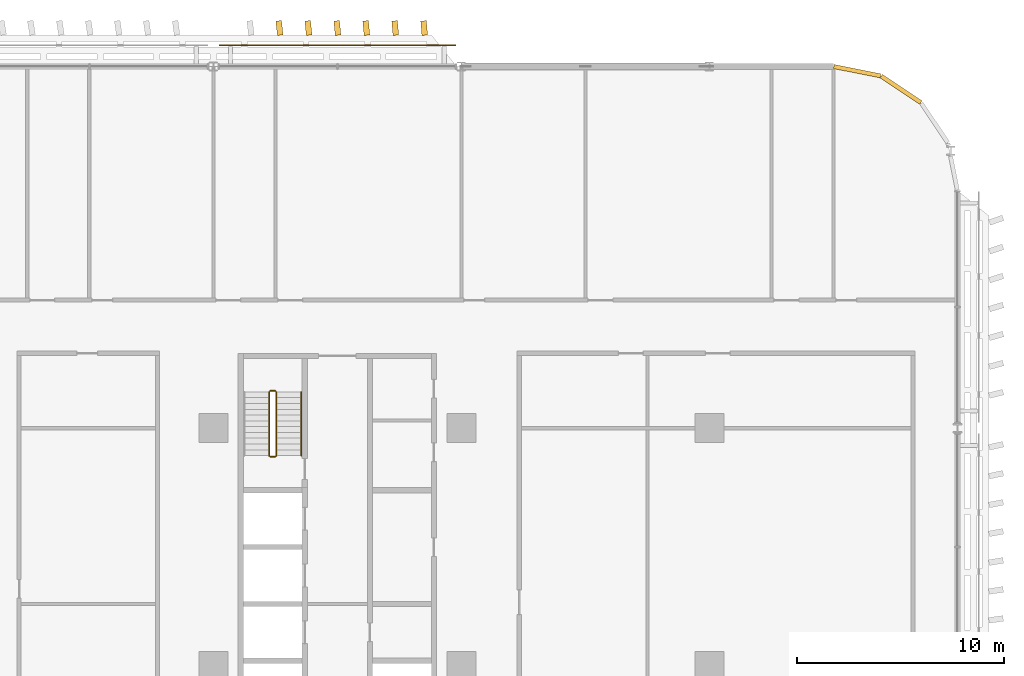
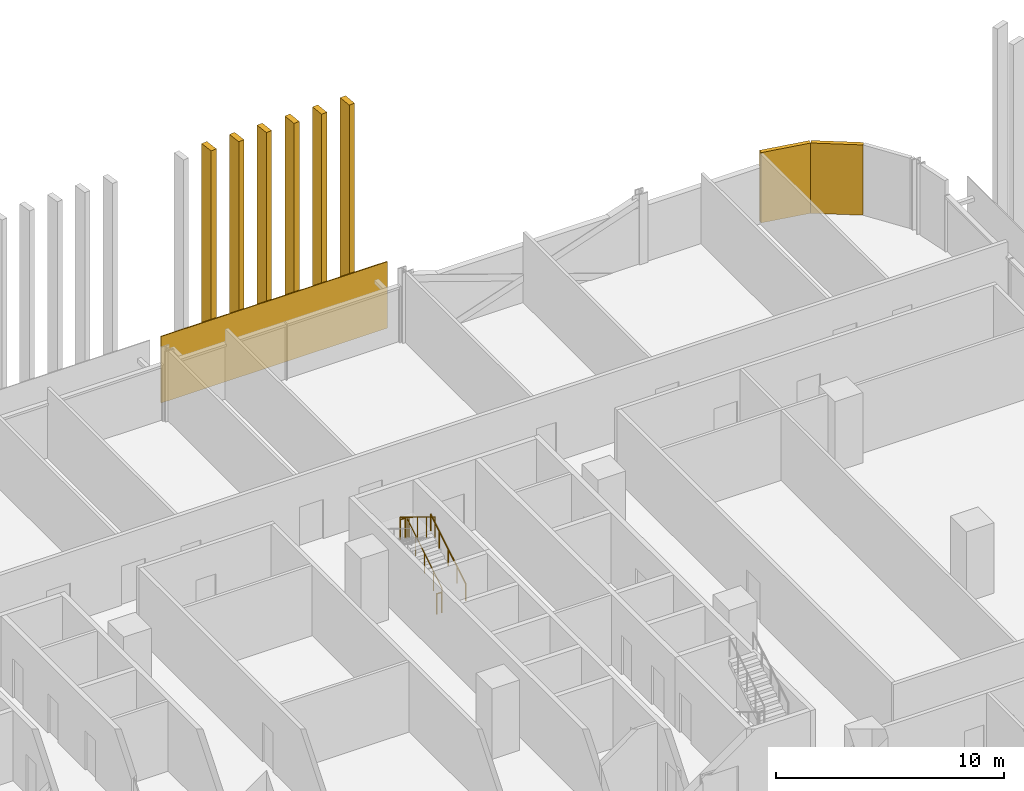
# One storey, part 30 of 31: 9 coverings, 5 railings.
"""IFC4 building model written with IfcOpenShell, lengths in metres."""

from ifc_helpers import new_model, si_unit, direction, frame, origin, origin_2d, place, context, subcontext, project, spatial, rectangle, circle, extrude, material, layer, layer_set, type_object, element, save


model = new_model("IFC4")

# Units and contexts
model_context = context("Model", 3, precision=1e-05, world=origin(), true_north=direction((0.0, 1.0)))
body_context = subcontext(model_context, "Body", "Model", "MODEL_VIEW")
ifc_project = project(units=[si_unit("LENGTHUNIT", "METRE"), si_unit("AREAUNIT", "SQUARE_METRE"), si_unit("VOLUMEUNIT", "CUBIC_METRE"), si_unit("PLANEANGLEUNIT", "RADIAN"), si_unit("MASSUNIT", "GRAM", prefix="KILO")], contexts=[model_context])

# Site, building, storey
site_placement = place(None, origin())
site = spatial("IfcSite", under=ifc_project, at=site_placement, CompositionType="ELEMENT")
building_placement = place(site_placement, origin())
building = spatial("IfcBuilding", under=site, at=building_placement, Name="Mahtab Terrace Research Tower", CompositionType="ELEMENT")
storey_placement = place(building_placement, frame((0.0, 0.0, 84.800048828125)))
storey = spatial("IfcBuildingStorey", under=building, at=storey_placement, Name="L19", CompositionType="ELEMENT", Elevation=84.800048828125)

# Coverings
ifc_material_1 = material(Name="Black aluminium cladding panel", Category="aluminium")
ifc_layer_1 = layer(ifc_material_1, 0.199951171875)
ifc_layer_set_1 = layer_set([ifc_layer_1], Name="Black metal corner cladding 200")
covering_type_1 = type_object("IfcCoveringType", Name="Black metal corner cladding 200", PredefinedType="CLADDING", material=ifc_layer_set_1)
for number, where, z_axis, x_axis, name in (
    (1, (51.26953125, 27.89306640625, 0.0), (0.0, 0.0, 1.0), (-0.831655794326, 0.555291490808, 0.0), "Corner cladding L19 1"),
    (2, (49.14794921875, 28.771484375, 0.0), (0.0, 0.0, 1.0), (-0.980760981187, 0.195212442692, 0.0), "Corner cladding L19 2"),
):
    element("IfcCovering", number, at=place(storey_placement, frame(where, z_axis=z_axis, x_axis=x_axis)), inside=storey, type_object=covering_type_1, Name=name, PredefinedType="CLADDING", context=body_context, shape_type="SweptSolid", body=[
        extrude(rectangle(XDim=2.30126953125, YDim=0.199951171875, at=origin_2d()), origin(), (0.0, 0.0, 1.0), 3.760009765625),
    ])
ifc_material_2 = material(Name="Bronze anodised aluminium", Category="aluminium")
ifc_layer_2 = layer(ifc_material_2, 0.050048828125)
ifc_layer_set_2 = layer_set([ifc_layer_2], Name="Sky lounge girih screen panel")
covering_type_2 = type_object("IfcCoveringType", Name="Sky lounge girih screen panel", PredefinedType="CLADDING", material=ifc_layer_set_2)
covering_placement = place(storey_placement, frame((24.0, 30.02490234375, 0.099853515625), z_axis=(0.0, 0.0, 1.0), x_axis=(-1.0, 0.0, 0.0)))
element("IfcCovering", 3, at=covering_placement, inside=storey, type_object=covering_type_2, Name="Girih screen L19 N6", PredefinedType="CLADDING", context=body_context, shape_type="SweptSolid", body=[
    extrude(rectangle(XDim=11.444091796875, YDim=0.050048828125, at=origin_2d()), origin(), (0.0, 0.0, 1.0), 3.56005859375),
])

# Railings
ifc_material_3 = material(Name="Stainless steel AISI 304", Category="steel")
railing_type_1 = type_object("IfcRailingType", Name="Stair guard 1100", PredefinedType="GUARDRAIL", material=ifc_material_3)
railing_1_placement = place(storey_placement, frame((21.050048828125, 10.175048828125, 0.1708984375)))
element("IfcRailing", 4, at=railing_1_placement, inside=storey, type_object=railing_type_1, Name="L19 ST3 stair guard 1", PredefinedType="GUARDRAIL", context=body_context, shape_type="SweptSolid", body=[
    extrude(circle(Radius=0.02392578125, at=origin_2d()), frame((0.0, 0.0, 1.076171875), z_axis=(0.0, 0.853647949592, 0.520850437417), x_axis=(-1.0, 0.0, 0.0)), (0.0, 0.0, 1.0), 3.60791015625),
    extrude(circle(Radius=0.02099609375, at=origin_2d()), origin(), (0.0, 0.0, 1.0), 1.052001953125),
    extrude(circle(Radius=0.02099609375, at=origin_2d()), frame((0.0, 0.77001953125, 0.4697265625)), (0.0, 0.0, 1.0), 1.052001953125),
    extrude(circle(Radius=0.02099609375, at=origin_2d()), frame((0.0, 1.5400390625, 0.939453125)), (0.0, 0.0, 1.0), 1.052001953125),
    extrude(circle(Radius=0.02099609375, at=origin_2d()), frame((0.0, 2.309814453125, 1.409423828125)), (0.0, 0.0, 1.0), 1.052001953125),
    extrude(circle(Radius=0.02099609375, at=origin_2d()), frame((0.0, 3.079833984375, 1.879150390625)), (0.0, 0.0, 1.0), 1.052001953125),
])
railing_2_placement = place(storey_placement, frame((21.0, 13.304931640625, 2.050048828125)))
element("IfcRailing", 5, at=railing_2_placement, inside=storey, type_object=railing_type_1, Name="L19 ST3 stair guard 2", PredefinedType="GUARDRAIL", context=body_context, shape_type="SweptSolid", body=[
    extrude(circle(Radius=0.02392578125, at=origin_2d()), frame((0.0, 0.0, 1.076171875), z_axis=(-1.0, 0.0, 0.0), x_axis=(0.0, -1.0, 0.0)), (0.0, 0.0, 1.0), 0.25),
    extrude(circle(Radius=0.02099609375, at=origin_2d()), origin(), (0.0, 0.0, 1.0), 1.052001953125),
    extrude(circle(Radius=0.02099609375, at=origin_2d()), frame((-0.25, 0.0, 0.0)), (0.0, 0.0, 1.0), 1.052001953125),
])
railing_3_placement = place(storey_placement, frame((20.699951171875, 13.2548828125, 2.220703125)))
element("IfcRailing", 6, at=railing_3_placement, inside=storey, type_object=railing_type_1, Name="L19 ST3 stair guard 3", PredefinedType="GUARDRAIL", context=body_context, shape_type="SweptSolid", body=[
    extrude(circle(Radius=0.02392578125, at=origin_2d()), frame((0.0, 0.0, 1.076171875), z_axis=(0.0, -0.853647949592, 0.520850437417), x_axis=(1.0, 0.0, 0.0)), (0.0, 0.0, 1.0), 3.60791015625),
    extrude(circle(Radius=0.02099609375, at=origin_2d()), origin(), (0.0, 0.0, 1.0), 1.052001953125),
    extrude(circle(Radius=0.02099609375, at=origin_2d()), frame((0.0, -0.77001953125, 0.4697265625)), (0.0, 0.0, 1.0), 1.052001953125),
    extrude(circle(Radius=0.02099609375, at=origin_2d()), frame((0.0, -1.5400390625, 0.939453125)), (0.0, 0.0, 1.0), 1.052001953125),
    extrude(circle(Radius=0.02099609375, at=origin_2d()), frame((0.0, -2.309814453125, 1.409423828125)), (0.0, 0.0, 1.0), 1.052001953125),
    extrude(circle(Radius=0.02099609375, at=origin_2d()), frame((0.0, -3.079833984375, 1.879150390625)), (0.0, 0.0, 1.0), 1.052001953125),
])
railing_4_placement = place(storey_placement, frame((21.0, 10.125, 0.0)))
element("IfcRailing", 7, at=railing_4_placement, inside=storey, type_object=railing_type_1, Name="L19 ST3 stair guard 4", PredefinedType="GUARDRAIL", context=body_context, shape_type="SweptSolid", body=[
    extrude(circle(Radius=0.02392578125, at=origin_2d()), frame((0.0, 0.0, 1.076171875), z_axis=(-1.0, 0.0, 0.0), x_axis=(0.0, -1.0, 0.0)), (0.0, 0.0, 1.0), 0.25),
    extrude(circle(Radius=0.02099609375, at=origin_2d()), origin(), (0.0, 0.0, 1.0), 1.052001953125),
    extrude(circle(Radius=0.02099609375, at=origin_2d()), frame((-0.25, 0.0, 0.0)), (0.0, 0.0, 1.0), 1.052001953125),
])
railing_type_2 = type_object("IfcRailingType", Name="Stair handrail 900", PredefinedType="HANDRAIL", material=ifc_material_3)
railing_5_placement = place(storey_placement, frame((22.25, 10.175048828125, 0.1708984375)))
element("IfcRailing", 8, at=railing_5_placement, inside=storey, type_object=railing_type_2, Name="L19 ST3 stair handrail 1", PredefinedType="HANDRAIL", context=body_context, shape_type="SweptSolid", body=[
    extrude(circle(Radius=0.02392578125, at=origin_2d()), frame((0.0, 0.0, 0.8759765625), z_axis=(0.0, 0.853647949592, 0.520850437417), x_axis=(-1.0, 0.0, 0.0)), (0.0, 0.0, 1.0), 3.60791015625),
    extrude(circle(Radius=0.02099609375, at=origin_2d()), origin(), (0.0, 0.0, 1.0), 0.851806640625),
    extrude(circle(Radius=0.02099609375, at=origin_2d()), frame((0.0, 0.77001953125, 0.4697265625)), (0.0, 0.0, 1.0), 0.851806640625),
    extrude(circle(Radius=0.02099609375, at=origin_2d()), frame((0.0, 1.5400390625, 0.939453125)), (0.0, 0.0, 1.0), 0.851806640625),
    extrude(circle(Radius=0.02099609375, at=origin_2d()), frame((0.0, 2.309814453125, 1.409423828125)), (0.0, 0.0, 1.0), 0.851806640625),
    extrude(circle(Radius=0.02099609375, at=origin_2d()), frame((0.0, 3.079833984375, 1.879150390625)), (0.0, 0.0, 1.0), 0.851806640625),
])

# Coverings
ifc_layer_3 = layer(ifc_material_2, 0.1201171875)
ifc_layer_set_3 = layer_set([ifc_layer_3], Name="Vertical fin 700")
covering_type_3 = type_object("IfcCoveringType", Name="Vertical fin 700", PredefinedType="CLADDING", material=ifc_layer_set_3)
for number, where, z_axis, x_axis, name in (
    (9, (28.199951171875, 30.8603515625, -0.14990234375), (0.0, 0.0, 1.0), (-0.996616925886, -0.082187000416, 0.0), "Fin L19 N1"),
    (10, (26.800048828125, 30.86083984375, -0.14990234375), (0.0, 0.0, 1.0), (-0.996121918106, -0.087983659104, 0.0), "Fin L19 N2"),
    (11, (25.39990234375, 30.861572265625, -0.14990234375), (0.0, 0.0, 1.0), (-0.995593195301, -0.093777339855, 0.0), "Fin L19 N3"),
    (12, (24.0, 30.8623046875, -0.14990234375), (0.0, 0.0, 1.0), (-0.995030775366, -0.099567846591, 0.0), "Fin L19 N4"),
    (13, (22.60009765625, 30.86279296875, -0.14990234375), (0.0, 0.0, 1.0), (-0.994434677334, -0.105354983343, 0.0), "Fin L19 N5"),
    (14, (21.199951171875, 30.86328125, -0.14990234375), (0.0, 0.0, 1.0), (-0.993804921385, -0.111138554202, 0.0), "Fin L19 N6"),
):
    element("IfcCovering", number, at=place(storey_placement, frame(where, z_axis=z_axis, x_axis=x_axis)), inside=storey, type_object=covering_type_3, Name=name, PredefinedType="CLADDING", context=body_context, shape_type="SweptSolid", body=[
        extrude(rectangle(XDim=0.280029296875, YDim=0.699951171875, at=origin_2d()), origin(), (0.0, 0.0, 1.0), 12.449951171875),
    ])

save(model, "model.ifc")
